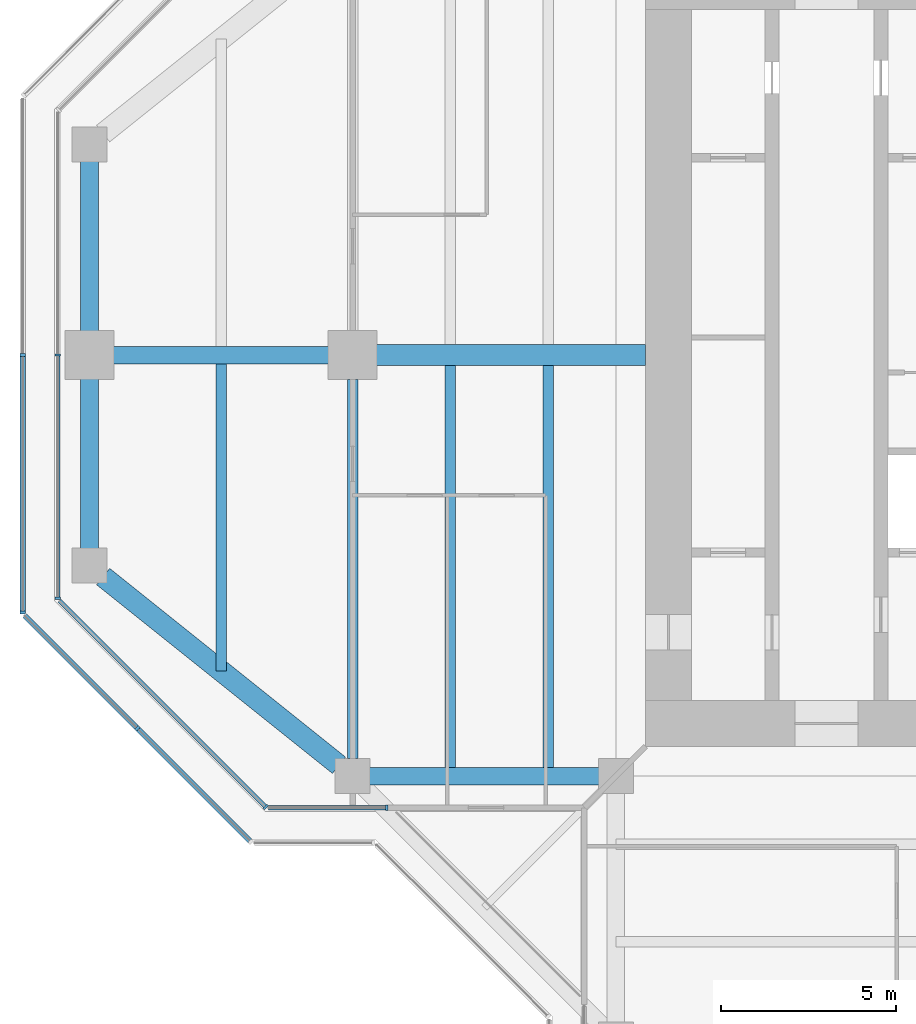
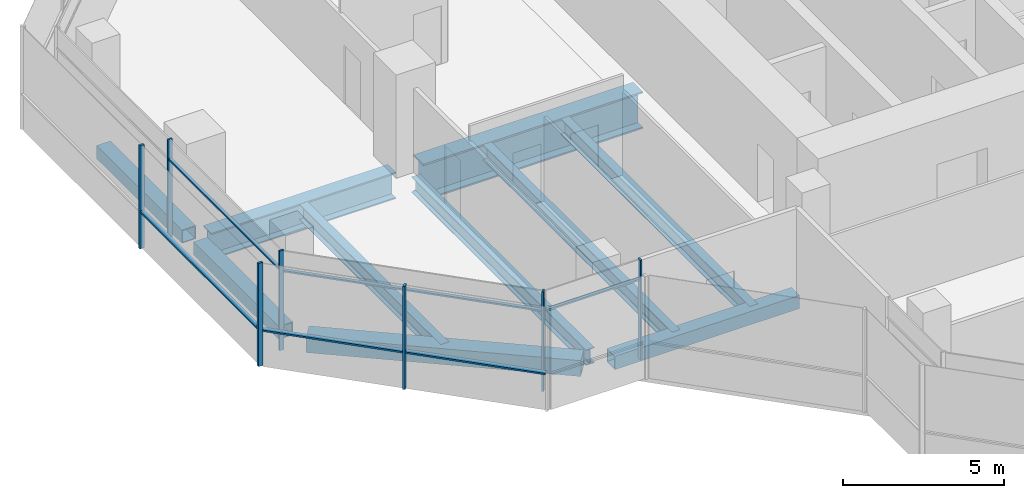
# One storey, part 3 of 16: 13 members, 10 beams, 5 elements without a shape of their own.
"""IFC4 building model written with IfcOpenShell, lengths in metres."""

from ifc_helpers import new_model, si_unit, direction, frame, origin, origin_2d, place, context, subcontext, project, spatial, rectangle, hollow_rectangle, i_section, extrude, material, material_profile, profile_set, type_object, element, aggregate, save


model = new_model("IFC4")

# Units and contexts
model_context = context("Model", 3, precision=1e-05, world=origin(), true_north=direction((0.0, 1.0)))
body_context = subcontext(model_context, "Body", "Model", "MODEL_VIEW")
ifc_project = project(units=[si_unit("LENGTHUNIT", "METRE"), si_unit("AREAUNIT", "SQUARE_METRE"), si_unit("VOLUMEUNIT", "CUBIC_METRE"), si_unit("PLANEANGLEUNIT", "RADIAN"), si_unit("MASSUNIT", "GRAM", prefix="KILO")], contexts=[model_context])

# Site, building, storey
site_placement = place(None, origin())
site = spatial("IfcSite", under=ifc_project, at=site_placement, CompositionType="ELEMENT")
building_placement = place(site_placement, origin())
building = spatial("IfcBuilding", under=site, at=building_placement, Name="Mizan Broadcast Tower", CompositionType="ELEMENT")
storey_placement = place(building_placement, frame((0.0, 0.0, 294.60009765625)))
storey = spatial("IfcBuildingStorey", under=building, at=storey_placement, Name="L70", CompositionType="ELEMENT", Elevation=294.60009765625)

# Beams
ifc_material_1 = material(Name="Steel S355", Category="steel")
ifc_material_profile_1 = material_profile(ifc_material_1, hollow_rectangle(XDim=0.5, YDim=0.5, WallThickness=0.030029296875, at=origin_2d()), Name="BOX 500x500x30")
ifc_profile_set_1 = profile_set([ifc_material_profile_1], Name="Steel S355")
beam_type_1 = type_object("IfcBeamType", Name="EDGE BEAM BOX 500x500x30", PredefinedType="SPANDREL", material=ifc_profile_set_1)
beam_1_placement = place(storey_placement, frame((-27.0, 5.639892578125, -0.380126953125), z_axis=(0.0, -1.0, 0.0), x_axis=(1.0, 0.0, 0.0)))
element("IfcBeam", 1, at=beam_1_placement, inside=storey, type_object=beam_type_1, Name="Edge beam BOX 500x500x30 L70 west arm", PredefinedType="SPANDREL", context=body_context, shape_type="SweptSolid", body=[
    extrude(hollow_rectangle(XDim=0.5, YDim=0.5, WallThickness=0.030029296875, at=origin_2d()), origin(), (0.0, 0.0, 1.0), 5.27978515625),
])
beam_2_placement = place(storey_placement, frame((-12.449951171875, -12.0, -0.380126953125), z_axis=(-1.0, 0.0, 0.0), x_axis=(0.0, -1.0, 0.0)))
element("IfcBeam", 2, at=beam_2_placement, inside=storey, type_object=beam_type_1, Name="Edge beam BOX 500x500x30 L70 west arm", PredefinedType="SPANDREL", context=body_context, shape_type="SweptSolid", body=[
    extrude(hollow_rectangle(XDim=0.5, YDim=0.5, WallThickness=0.030029296875, at=origin_2d()), origin(), (0.0, 0.0, 1.0), 6.60009765625),
])
beam_3_placement = place(storey_placement, frame((-27.0, -5.639892578125, -0.380126953125), z_axis=(0.0, 1.0, 0.0), x_axis=(-1.0, 0.0, 0.0)))
element("IfcBeam", 3, at=beam_3_placement, inside=storey, type_object=beam_type_1, Name="Edge beam BOX 500x500x30 L70 west arm", PredefinedType="SPANDREL", context=body_context, shape_type="SweptSolid", body=[
    extrude(hollow_rectangle(XDim=0.5, YDim=0.5, WallThickness=0.030029296875, at=origin_2d()), origin(), (0.0, 0.0, 1.0), 5.27978515625),
])
ifc_material_2 = material(Name="Steel S355", Category="steel")
ifc_material_profile_2 = material_profile(ifc_material_2, hollow_rectangle(XDim=0.60009765625, YDim=0.60009765625, WallThickness=0.030029296875, at=origin_2d()), Name="BOX 600x600x30")
ifc_profile_set_2 = profile_set([ifc_material_profile_2], Name="Steel S355")
beam_type_2 = type_object("IfcBeamType", Name="EDGE BEAM BOX 600x600x30", PredefinedType="SPANDREL", material=ifc_profile_set_2)
beam_4_placement = place(storey_placement, frame((-19.890380859375, -11.687744140625, -0.43017578125), z_axis=(-0.780863273348, 0.62470196761, 0.0), x_axis=(-0.62470196761, -0.780863273348, 0.0)))
element("IfcBeam", 4, at=beam_4_placement, inside=storey, type_object=beam_type_2, Name="Edge beam BOX 600x600x30 L70 west arm", PredefinedType="SPANDREL", context=body_context, shape_type="SweptSolid", body=[
    extrude(hollow_rectangle(XDim=0.60009765625, YDim=0.60009765625, WallThickness=0.030029296875, at=origin_2d()), origin(), (0.0, 0.0, 1.0), 8.60498046875),
])
ifc_material_3 = material(Name="Steel S355", Category="steel")
ifc_material_profile_3 = material_profile(ifc_material_3, i_section(OverallWidth=0.300048828125, OverallDepth=0.590087890625, WebThickness=0.012939453125, FlangeThickness=0.02490234375, FilletRadius=0.027099609375, at=origin_2d()), Name="HEA 600")
ifc_profile_set_3 = profile_set([ifc_material_profile_3], Name="Steel S355")
beam_type_3 = type_object("IfcBeamType", Name="GIRDER HEA 600", PredefinedType="BEAM", material=ifc_profile_set_3)
beam_5_placement = place(storey_placement, frame((-19.5, -11.5, -0.425048828125), z_axis=(0.0, 1.0, 0.0), x_axis=(-1.0, 0.0, 0.0)))
element("IfcBeam", 5, at=beam_5_placement, inside=storey, type_object=beam_type_3, Name="Girder HEA 600 L70 west arm", PredefinedType="BEAM", context=body_context, shape_type="SweptSolid", body=[
    extrude(i_section(OverallWidth=0.300048828125, OverallDepth=0.590087890625, WebThickness=0.012939453125, FlangeThickness=0.02490234375, FilletRadius=0.027099609375, at=origin_2d()), origin(), (0.0, 0.0, 1.0), 10.800048828125),
])
ifc_material_4 = material(Name="Steel S460", Category="steel")
ifc_material_profile_4 = material_profile(ifc_material_4, i_section(OverallWidth=0.5, OverallDepth=1.0, WebThickness=0.02490234375, FlangeThickness=0.050048828125, at=origin_2d()), Name="WPG 1000x500")
ifc_profile_set_4 = profile_set([ifc_material_profile_4], Name="Steel S460")
beam_type_4 = type_object("IfcBeamType", Name="GIRDER WPG 1000x500", PredefinedType="BEAM", material=ifc_profile_set_4)
beam_6_placement = place(storey_placement, frame((-19.949951171875, 0.0, -0.630126953125), z_axis=(-1.0, 0.0, 0.0), x_axis=(0.0, -1.0, 0.0)))
element("IfcBeam", 6, at=beam_6_placement, inside=storey, type_object=beam_type_4, Name="Girder WPG 1000x500 L70 west arm", PredefinedType="BEAM", context=body_context, shape_type="SweptSolid", body=[
    extrude(i_section(OverallWidth=0.5, OverallDepth=1.0, WebThickness=0.02490234375, FlangeThickness=0.050048828125, at=origin_2d()), origin(), (0.0, 0.0, 1.0), 6.60009765625),
])
ifc_material_5 = material(Name="Steel S460", Category="steel")
ifc_material_profile_5 = material_profile(ifc_material_5, i_section(OverallWidth=0.60009765625, OverallDepth=1.39990234375, WebThickness=0.02490234375, FlangeThickness=0.06005859375, at=origin_2d()), Name="WPG 1400x600")
ifc_profile_set_5 = profile_set([ifc_material_profile_5], Name="Steel S460")
beam_type_5 = type_object("IfcBeamType", Name="GIRDER WPG 1400x600", PredefinedType="BEAM", material=ifc_profile_set_5)
beam_7_placement = place(storey_placement, frame((-11.14990234375, 0.0, -0.830078125), z_axis=(-1.0, 0.0, 0.0), x_axis=(0.0, -1.0, 0.0)))
element("IfcBeam", 7, at=beam_7_placement, inside=storey, type_object=beam_type_5, Name="Girder WPG 1400x600 L70 west arm", PredefinedType="BEAM", context=body_context, shape_type="SweptSolid", body=[
    extrude(i_section(OverallWidth=0.60009765625, OverallDepth=1.39990234375, WebThickness=0.02490234375, FlangeThickness=0.06005859375, at=origin_2d()), origin(), (0.0, 0.0, 1.0), 7.84912109375),
])

# Curtain wall, members
ifc_material_6 = material(Name="Aluminium framed glazing", Category="aluminium")
curtain_wall_type_1 = type_object("IfcCurtainWallType", Name="INNER SKIN TOP ZONE", PredefinedType="USERDEFINED", material=ifc_material_6)
curtain_wall_1_placement = place(storey_placement, origin())
curtain_wall_1 = element("IfcCurtainWall", 8, at=curtain_wall_1_placement, inside=storey, type_object=curtain_wall_type_1, Name="Inner skin top zone L70 W end", ObjectType="INNER SKIN TOP ZONE", PredefinedType="USERDEFINED")
ifc_material_7 = material(Name="Aluminium, pale anodised", Category="aluminium")
ifc_material_profile_6 = material_profile(ifc_material_7, rectangle(XDim=0.159912109375, YDim=0.06005859375, at=origin_2d()), Name="MULLION 160x60")
ifc_profile_set_6 = profile_set([ifc_material_profile_6], Name="Aluminium, pale anodised")
member_type_1 = type_object("IfcMemberType", Name="INNER SKIN MULLION 60x160", PredefinedType="MULLION", material=ifc_profile_set_6)
member_1_placement = place(storey_placement, frame((-27.89990234375, 0.0, 0.0), z_axis=(0.0, 0.0, 1.0), x_axis=(1.0, 0.0, 0.0)))
member_1 = element("IfcMember", 9, at=member_1_placement, type_object=member_type_1, Name="Inner skin top zone L70 W end mullion 2", PredefinedType="MULLION", context=body_context, shape_type="SweptSolid", body=[
    extrude(rectangle(XDim=0.159912109375, YDim=0.06005859375, at=origin_2d()), origin(), (0.0, 0.0, 1.0), 3.77001953125),
])
member_2_placement = place(storey_placement, frame((-27.89990234375, -6.928466796875, 0.0), z_axis=(0.0, 0.0, 1.0), x_axis=(1.0, 0.0, 0.0)))
member_2 = element("IfcMember", 10, at=member_2_placement, type_object=member_type_1, Name="Inner skin top zone L70 W end mullion 3", PredefinedType="MULLION", context=body_context, shape_type="SweptSolid", body=[
    extrude(rectangle(XDim=0.159912109375, YDim=0.06005859375, at=origin_2d()), origin(), (0.0, 0.0, 1.0), 3.77001953125),
])

# Curtain wall, member
curtain_wall_2_placement = place(storey_placement, origin())
curtain_wall_2 = element("IfcCurtainWall", 11, at=curtain_wall_2_placement, inside=storey, type_object=curtain_wall_type_1, Name="Inner skin top zone L70 W chamfer", ObjectType="INNER SKIN TOP ZONE", PredefinedType="USERDEFINED")
member_3_placement = place(storey_placement, frame((-21.979736328125, -12.87890625, 0.0), z_axis=(0.0, 0.0, 1.0), x_axis=(0.707106781187, 0.707106781187, 0.0)))
member_3 = element("IfcMember", 12, at=member_3_placement, type_object=member_type_1, Name="Inner skin top zone L70 W chamfer mullion 2", PredefinedType="MULLION", context=body_context, shape_type="SweptSolid", body=[
    extrude(rectangle(XDim=0.159912109375, YDim=0.06005859375, at=origin_2d()), origin(), (0.0, 0.0, 1.0), 3.77001953125),
])

curtain_wall_3_placement = place(storey_placement, origin())
curtain_wall_3 = element("IfcCurtainWall", 13, at=curtain_wall_3_placement, inside=storey, type_object=curtain_wall_type_1, Name="Inner skin top zone L70 W side", ObjectType="INNER SKIN TOP ZONE", PredefinedType="USERDEFINED")
member_4_placement = place(storey_placement, frame((-18.530029296875, -12.89990234375, 0.0), z_axis=(0.0, 0.0, 1.0), x_axis=(0.0, 1.0, 0.0)))
member_4 = element("IfcMember", 14, at=member_4_placement, type_object=member_type_1, Name="Inner skin top zone L70 W side mullion 2", PredefinedType="MULLION", context=body_context, shape_type="SweptSolid", body=[
    extrude(rectangle(XDim=0.159912109375, YDim=0.06005859375, at=origin_2d()), origin(), (0.0, 0.0, 1.0), 3.77001953125),
])

# Member
ifc_material_8 = material(Name="Aluminium, pale anodised", Category="aluminium")
ifc_material_profile_7 = material_profile(ifc_material_8, rectangle(XDim=0.1201171875, YDim=0.06005859375, at=origin_2d()), Name="TRANSOM 120x60")
ifc_profile_set_7 = profile_set([ifc_material_profile_7], Name="Aluminium, pale anodised")
member_type_2 = type_object("IfcMemberType", Name="INNER SKIN TRANSOM 60x120", PredefinedType="USERDEFINED", material=ifc_profile_set_7)
member_5_placement = place(storey_placement, frame((-27.89990234375, -0.030029296875, 3.02978515625), z_axis=(0.0, -1.0, 0.0), x_axis=(1.0, 0.0, 0.0)))
member_5 = element("IfcMember", 15, at=member_5_placement, type_object=member_type_2, Name="Inner skin top zone L70 W end transom 2.1", ObjectType="TRANSOM", PredefinedType="USERDEFINED", context=body_context, shape_type="SweptSolid", body=[
    extrude(rectangle(XDim=0.1201171875, YDim=0.06005859375, at=origin_2d()), origin(), (0.0, 0.0, 1.0), 6.86865234375),
])

aggregate(curtain_wall_1, [member_1, member_2, member_5])

member_6_placement = place(storey_placement, frame((-27.857666015625, -7.0009765625, 3.02978515625), z_axis=(0.707106781187, -0.707106781187, 0.0), x_axis=(0.707106781187, 0.707106781187, 0.0)))
member_6 = element("IfcMember", 16, at=member_6_placement, type_object=member_type_2, Name="Inner skin top zone L70 W chamfer transom 1.1", ObjectType="TRANSOM", PredefinedType="USERDEFINED", context=body_context, shape_type="SweptSolid", body=[
    extrude(rectangle(XDim=0.1201171875, YDim=0.06005859375, at=origin_2d()), origin(), (0.0, 0.0, 1.0), 8.28271484375),
])

aggregate(curtain_wall_2, [member_3, member_6])

member_7_placement = place(storey_placement, frame((-21.898681640625, -12.89990234375, 3.02978515625), z_axis=(1.0, 0.0, 0.0), x_axis=(0.0, 1.0, 0.0)))
member_7 = element("IfcMember", 17, at=member_7_placement, type_object=member_type_2, Name="Inner skin top zone L70 W side transom 1.1", ObjectType="TRANSOM", PredefinedType="USERDEFINED", context=body_context, shape_type="SweptSolid", body=[
    extrude(rectangle(XDim=0.1201171875, YDim=0.06005859375, at=origin_2d()), origin(), (0.0, 0.0, 1.0), 3.338623046875),
])

aggregate(curtain_wall_3, [member_4, member_7])

# Curtain wall, member
ifc_material_9 = material(Name="Aluminium framed glazing", Category="aluminium")
curtain_wall_type_2 = type_object("IfcCurtainWallType", Name="OUTER SKIN", PredefinedType="USERDEFINED", material=ifc_material_9)
curtain_wall_4_placement = place(storey_placement, origin())
curtain_wall_4 = element("IfcCurtainWall", 18, at=curtain_wall_4_placement, inside=storey, type_object=curtain_wall_type_2, Name="Outer skin L70 W chamfer", ObjectType="OUTER SKIN", PredefinedType="USERDEFINED")
ifc_material_10 = material(Name="Aluminium, pale anodised", Category="aluminium")
ifc_material_profile_8 = material_profile(ifc_material_10, rectangle(XDim=0.159912109375, YDim=0.080078125, at=origin_2d()), Name="MULLION 160x80")
ifc_profile_set_8 = profile_set([ifc_material_profile_8], Name="Aluminium, pale anodised")
member_type_3 = type_object("IfcMemberType", Name="OUTER SKIN MULLION 80x160", PredefinedType="MULLION", material=ifc_profile_set_8)
member_8_placement = place(storey_placement, frame((-25.636474609375, -10.636474609375, 0.0), z_axis=(0.0, 0.0, 1.0), x_axis=(0.707106781187, 0.707106781187, 0.0)))
member_8 = element("IfcMember", 19, at=member_8_placement, type_object=member_type_3, Name="Outer skin L70 W chamfer mullion 2", PredefinedType="MULLION", context=body_context, shape_type="SweptSolid", body=[
    extrude(rectangle(XDim=0.159912109375, YDim=0.080078125, at=origin_2d()), origin(), (0.0, 0.0, 1.0), 3.89990234375),
])

# Curtain wall, members
curtain_wall_5_placement = place(storey_placement, origin())
curtain_wall_5 = element("IfcCurtainWall", 20, at=curtain_wall_5_placement, inside=storey, type_object=curtain_wall_type_2, Name="Outer skin L70 W end", ObjectType="OUTER SKIN", PredefinedType="USERDEFINED")
member_9_placement = place(storey_placement, frame((-28.89990234375, 0.0, 0.0), z_axis=(0.0, 0.0, 1.0), x_axis=(1.0, 0.0, 0.0)))
member_9 = element("IfcMember", 21, at=member_9_placement, type_object=member_type_3, Name="Outer skin L70 W end mullion 2", PredefinedType="MULLION", context=body_context, shape_type="SweptSolid", body=[
    extrude(rectangle(XDim=0.159912109375, YDim=0.080078125, at=origin_2d()), origin(), (0.0, 0.0, 1.0), 3.89990234375),
])
member_10_placement = place(storey_placement, frame((-28.89990234375, -7.332763671875, 0.0), z_axis=(0.0, 0.0, 1.0), x_axis=(1.0, 0.0, 0.0)))
member_10 = element("IfcMember", 22, at=member_10_placement, type_object=member_type_3, Name="Outer skin L70 W end mullion 3", PredefinedType="MULLION", context=body_context, shape_type="SweptSolid", body=[
    extrude(rectangle(XDim=0.159912109375, YDim=0.080078125, at=origin_2d()), origin(), (0.0, 0.0, 1.0), 3.89990234375),
])

# Member
ifc_material_11 = material(Name="Aluminium, pale anodised", Category="aluminium")
ifc_material_profile_9 = material_profile(ifc_material_11, rectangle(XDim=0.159912109375, YDim=0.06005859375, at=origin_2d()), Name="TRANSOM 160x60")
ifc_profile_set_9 = profile_set([ifc_material_profile_9], Name="Aluminium, pale anodised")
member_type_4 = type_object("IfcMemberType", Name="OUTER SKIN TRANSOM 60x160", PredefinedType="USERDEFINED", material=ifc_profile_set_9)
member_11_placement = place(storey_placement, frame((-28.843505859375, -7.429443359375, 1.39990234375), z_axis=(0.707106781187, -0.707106781187, 0.0), x_axis=(0.707106781187, 0.707106781187, 0.0)))
member_11 = element("IfcMember", 23, at=member_11_placement, type_object=member_type_4, Name="Outer skin L70 W chamfer transom 1.1", ObjectType="TRANSOM", PredefinedType="USERDEFINED", context=body_context, shape_type="SweptSolid", body=[
    extrude(rectangle(XDim=0.159912109375, YDim=0.06005859375, at=origin_2d()), origin(), (0.0, 0.0, 1.0), 4.495361328125),
])

member_12_placement = place(storey_placement, frame((-25.608154296875, -10.664794921875, 1.39990234375), z_axis=(0.707106781187, -0.707106781187, 0.0), x_axis=(0.707106781187, 0.707106781187, 0.0)))
member_12 = element("IfcMember", 24, at=member_12_placement, type_object=member_type_4, Name="Outer skin L70 W chamfer transom 2.1", ObjectType="TRANSOM", PredefinedType="USERDEFINED", context=body_context, shape_type="SweptSolid", body=[
    extrude(rectangle(XDim=0.159912109375, YDim=0.06005859375, at=origin_2d()), origin(), (0.0, 0.0, 1.0), 4.495361328125),
])

aggregate(curtain_wall_4, [member_8, member_11, member_12])

member_13_placement = place(storey_placement, frame((-28.89990234375, -0.0400390625, 1.39990234375), z_axis=(0.0, -1.0, 0.0), x_axis=(1.0, 0.0, 0.0)))
member_13 = element("IfcMember", 25, at=member_13_placement, type_object=member_type_4, Name="Outer skin L70 W end transom 2.1", ObjectType="TRANSOM", PredefinedType="USERDEFINED", context=body_context, shape_type="SweptSolid", body=[
    extrude(rectangle(XDim=0.159912109375, YDim=0.06005859375, at=origin_2d()), origin(), (0.0, 0.0, 1.0), 7.252685546875),
])

aggregate(curtain_wall_5, [member_9, member_10, member_13])

# Beams
ifc_material_12 = material(Name="Steel S355", Category="steel")
ifc_material_profile_10 = material_profile(ifc_material_12, i_section(OverallWidth=0.300048828125, OverallDepth=0.590087890625, WebThickness=0.012939453125, FlangeThickness=0.02490234375, FilletRadius=0.027099609375, at=origin_2d()), Name="HEA 600")
ifc_profile_set_10 = profile_set([ifc_material_profile_10], Name="Steel S355")
beam_type_6 = type_object("IfcBeamType", Name="SECONDARY BEAM HEA 600", PredefinedType="JOIST", material=ifc_profile_set_10)
for number, where, z_axis, x_axis, name in (
    (26, (-13.933349609375, -12.0, -0.425048828125), (0.0, 1.0, 0.0), (-1.0, 0.0, 0.0), "Secondary beam HEA 600 L70 west arm"),
    (27, (-16.716552734375, -12.0, -0.425048828125), (0.0, 1.0, 0.0), (-1.0, 0.0, 0.0), "Secondary beam HEA 600 L70 west arm"),
):
    element("IfcBeam", number, at=place(storey_placement, frame(where, z_axis=z_axis, x_axis=x_axis)), inside=storey, type_object=beam_type_6, Name=name, PredefinedType="JOIST", context=body_context, shape_type="SweptSolid", body=[
        extrude(i_section(OverallWidth=0.300048828125, OverallDepth=0.590087890625, WebThickness=0.012939453125, FlangeThickness=0.02490234375, FilletRadius=0.027099609375, at=origin_2d()), origin(), (0.0, 0.0, 1.0), 11.699951171875),
    ])
beam_8_placement = place(storey_placement, frame((-23.25, -9.0, -0.425048828125), z_axis=(0.0, 1.0, 0.0), x_axis=(-1.0, 0.0, 0.0)))
element("IfcBeam", 28, at=beam_8_placement, inside=storey, type_object=beam_type_6, Name="Secondary beam HEA 600 L70 west arm", PredefinedType="JOIST", context=body_context, shape_type="SweptSolid", body=[
    extrude(i_section(OverallWidth=0.300048828125, OverallDepth=0.590087890625, WebThickness=0.012939453125, FlangeThickness=0.02490234375, FilletRadius=0.027099609375, at=origin_2d()), origin(), (0.0, 0.0, 1.0), 8.75),
])

save(model, "model.ifc")
